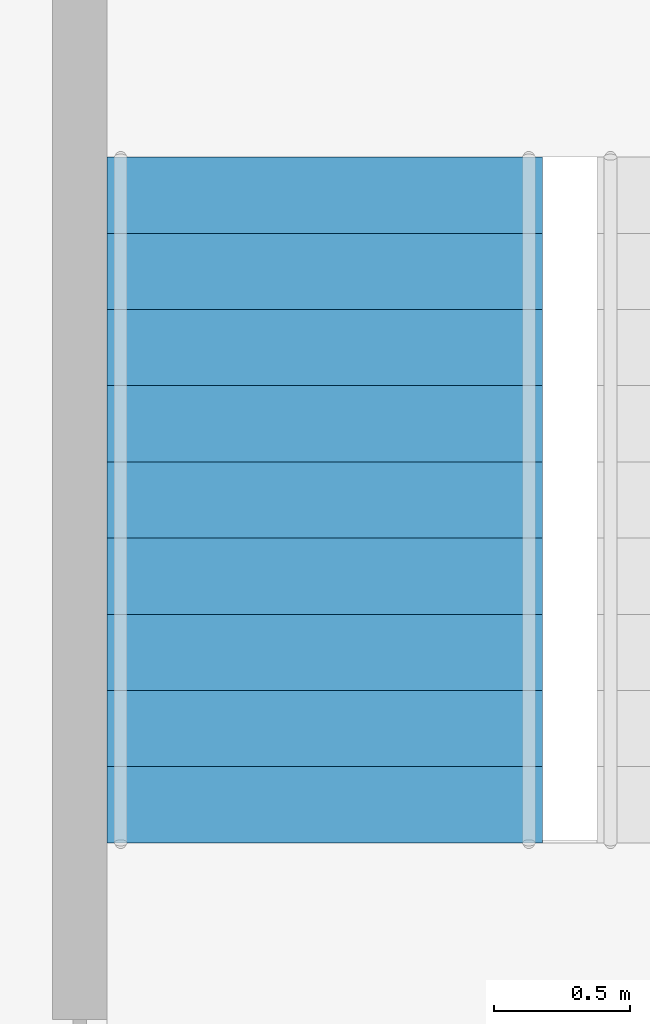
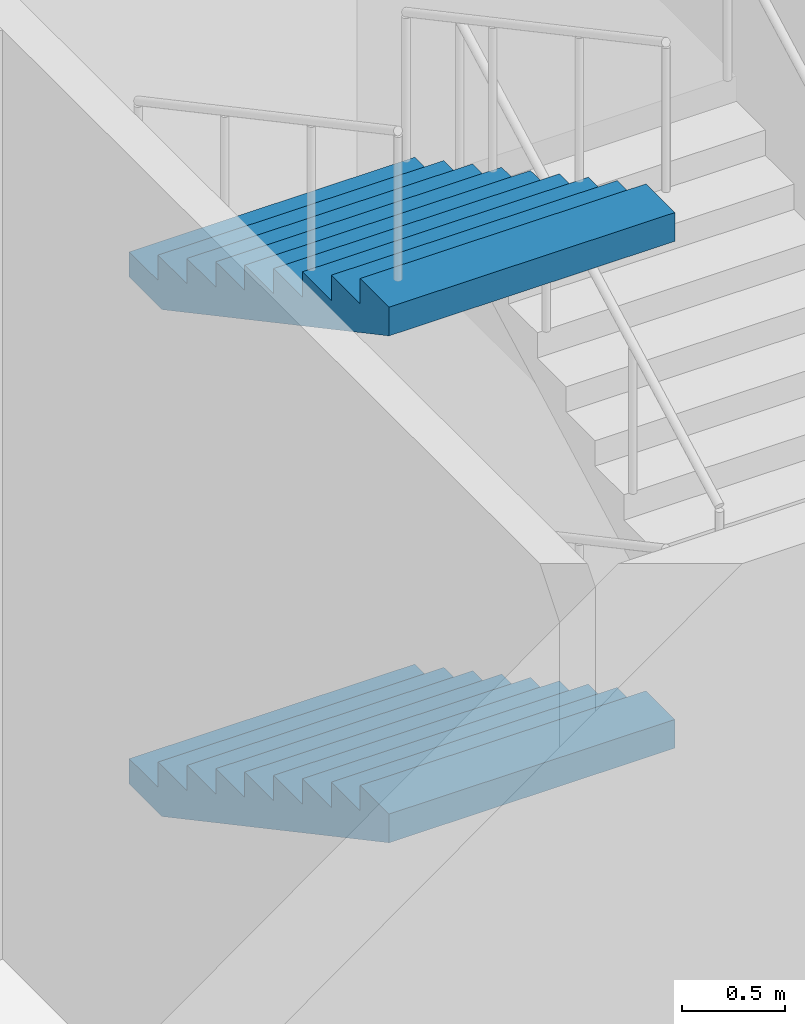
# One storey, part 84 of 100: 2 stair flights, 1 element without a shape of its own.
"""IFC4 building model written with IfcOpenShell, lengths in metres."""

from ifc_helpers import new_model, si_unit, direction, frame, origin, place, context, subcontext, project, spatial, triangles, material, type_object, element, aggregate, save


model = new_model("IFC4")

# Units and contexts
model_context = context("Model", 3, precision=1e-05, world=origin(), true_north=direction((0.0, 1.0)))
body_context = subcontext(model_context, "Body", "Model", "MODEL_VIEW")
ifc_project = project(units=[si_unit("LENGTHUNIT", "METRE"), si_unit("AREAUNIT", "SQUARE_METRE"), si_unit("VOLUMEUNIT", "CUBIC_METRE"), si_unit("PLANEANGLEUNIT", "RADIAN"), si_unit("MASSUNIT", "GRAM", prefix="KILO")], contexts=[model_context])

# Site, building, storey
site_placement = place(None, origin())
site = spatial("IfcSite", under=ifc_project, at=site_placement, CompositionType="ELEMENT")
building_placement = place(site_placement, origin())
building = spatial("IfcBuilding", under=site, at=building_placement, Name="Hakoniwa Tower and Hamabe Station Hall", CompositionType="ELEMENT")
storey_placement = place(building_placement, frame((0.0, 0.0, 9.0)))
storey = spatial("IfcBuildingStorey", under=building, at=storey_placement, Name="L02", CompositionType="ELEMENT", Elevation=9.0)

# Stair, stair flights
ifc_material_1 = material(Name="Concrete C40", Category="concrete")
stair_type = type_object("IfcStairType", Name="STAIR 1600 10X150", PredefinedType="HALF_TURN_STAIR", material=ifc_material_1)
stair_placement = place(storey_placement, origin())
stair = element("IfcStair", 1, at=stair_placement, inside=storey, type_object=stair_type, Name="Escape stair SS2 L02", PredefinedType="HALF_TURN_STAIR")
ifc_material_2 = material(Name="Concrete C40", Category="concrete")
stair_flight_type = type_object("IfcStairFlightType", Name="STAIR FLIGHT 1600", PredefinedType="STRAIGHT", material=ifc_material_2)
stair_flight_1_placement = place(storey_placement, frame((165.85009765625, 19.419921875, 1.5), z_axis=(0.0, 0.0, 1.0), x_axis=(0.0, -1.0, 0.0)))
stair_flight_1 = element("IfcStairFlight", 2, at=stair_flight_1_placement, type_object=stair_flight_type, Name="SS2 flight 2", NumberOfRisers=10, NumberOfTreads=9, PredefinedType="STRAIGHT", RiserHeight=0.15, TreadLength=0.28, context=body_context, shape_type="Tessellation", body=[
    triangles([(0.0, 0.800048828125, 0.0), (0.280029296875, 0.800048828125, 0.0), (0.3173828125, 0.800048828125, 0.0), (0.56005859375, 0.800048828125, 0.1298828125), (0.840087890625, 0.800048828125, 0.280029296875), (1.1201171875, 0.800048828125, 0.429931640625), (1.39990234375, 0.800048828125, 0.579833984375), (1.679931640625, 0.800048828125, 0.72998046875), (1.9599609375, 0.800048828125, 0.8798828125), (2.239990234375, 0.800048828125, 1.030029296875), (2.52001953125, 0.800048828125, 1.179931640625), (2.52001953125, 0.800048828125, 1.35009765625), (2.239990234375, 0.800048828125, 1.35009765625), (2.239990234375, 0.800048828125, 1.199951171875), (1.9599609375, 0.800048828125, 1.199951171875), (1.9599609375, 0.800048828125, 1.050048828125), (1.679931640625, 0.800048828125, 1.050048828125), (1.679931640625, 0.800048828125, 0.89990234375), (1.39990234375, 0.800048828125, 0.89990234375), (1.39990234375, 0.800048828125, 0.75), (1.1201171875, 0.800048828125, 0.75), (1.1201171875, 0.800048828125, 0.60009765625), (0.840087890625, 0.800048828125, 0.60009765625), (0.840087890625, 0.800048828125, 0.449951171875), (0.56005859375, 0.800048828125, 0.449951171875), (0.56005859375, 0.800048828125, 0.300048828125), (0.3173828125, 0.800048828125, 0.300048828125), (0.280029296875, 0.800048828125, 0.300048828125), (0.280029296875, 0.800048828125, 0.14990234375), (0.0, 0.800048828125, 0.14990234375), (0.0, 0.06005859375, 0.0), (0.280029296875, 0.06005859375, 0.0), (0.3173828125, 0.06005859375, 0.0), (0.56005859375, 0.06005859375, 0.1298828125), (0.840087890625, 0.06005859375, 0.280029296875), (1.1201171875, 0.06005859375, 0.429931640625), (1.39990234375, 0.06005859375, 0.579833984375), (1.679931640625, 0.06005859375, 0.72998046875), (1.9599609375, 0.06005859375, 0.8798828125), (2.239990234375, 0.06005859375, 1.030029296875), (2.52001953125, 0.06005859375, 1.179931640625), (2.52001953125, 0.06005859375, 1.35009765625), (2.239990234375, 0.06005859375, 1.35009765625), (2.239990234375, 0.06005859375, 1.199951171875), (1.9599609375, 0.06005859375, 1.199951171875), (1.9599609375, 0.06005859375, 1.050048828125), (1.679931640625, 0.06005859375, 1.050048828125), (1.679931640625, 0.06005859375, 0.89990234375), (1.39990234375, 0.06005859375, 0.89990234375), (1.39990234375, 0.06005859375, 0.75), (1.1201171875, 0.06005859375, 0.75), (1.1201171875, 0.06005859375, 0.60009765625), (0.840087890625, 0.06005859375, 0.60009765625), (0.840087890625, 0.06005859375, 0.449951171875), (0.56005859375, 0.06005859375, 0.449951171875), (0.56005859375, 0.06005859375, 0.300048828125), (0.3173828125, 0.06005859375, 0.300048828125), (0.280029296875, 0.06005859375, 0.300048828125), (0.280029296875, 0.06005859375, 0.14990234375), (0.0, 0.06005859375, 0.14990234375), (0.0, 0.02001953125, 0.0), (0.280029296875, 0.02001953125, 0.0), (0.3173828125, 0.02001953125, 0.0), (0.56005859375, 0.02001953125, 0.1298828125), (0.840087890625, 0.02001953125, 0.280029296875), (1.1201171875, 0.02001953125, 0.429931640625), (1.39990234375, 0.02001953125, 0.579833984375), (1.679931640625, 0.02001953125, 0.72998046875), (1.9599609375, 0.02001953125, 0.8798828125), (2.239990234375, 0.02001953125, 1.030029296875), (2.52001953125, 0.02001953125, 1.179931640625), (2.52001953125, 0.02001953125, 1.35009765625), (2.239990234375, 0.02001953125, 1.35009765625), (2.239990234375, 0.02001953125, 1.199951171875), (1.9599609375, 0.02001953125, 1.199951171875), (1.9599609375, 0.02001953125, 1.050048828125), (1.679931640625, 0.02001953125, 1.050048828125), (1.679931640625, 0.02001953125, 0.89990234375), (1.39990234375, 0.02001953125, 0.89990234375), (1.39990234375, 0.02001953125, 0.75), (1.1201171875, 0.02001953125, 0.75), (1.1201171875, 0.02001953125, 0.60009765625), (0.840087890625, 0.02001953125, 0.60009765625), (0.840087890625, 0.02001953125, 0.449951171875), (0.56005859375, 0.02001953125, 0.449951171875), (0.56005859375, 0.02001953125, 0.300048828125), (0.3173828125, 0.02001953125, 0.300048828125), (0.280029296875, 0.02001953125, 0.300048828125), (0.280029296875, 0.02001953125, 0.14990234375), (0.0, 0.02001953125, 0.14990234375), (0.0, -0.02001953125, 0.0), (0.280029296875, -0.02001953125, 0.0), (0.3173828125, -0.02001953125, 0.0), (0.56005859375, -0.02001953125, 0.1298828125), (0.840087890625, -0.02001953125, 0.280029296875), (1.1201171875, -0.02001953125, 0.429931640625), (1.39990234375, -0.02001953125, 0.579833984375), (1.679931640625, -0.02001953125, 0.72998046875), (1.9599609375, -0.02001953125, 0.8798828125), (2.239990234375, -0.02001953125, 1.030029296875), (2.52001953125, -0.02001953125, 1.179931640625), (2.52001953125, -0.02001953125, 1.35009765625), (2.239990234375, -0.02001953125, 1.35009765625), (2.239990234375, -0.02001953125, 1.199951171875), (1.9599609375, -0.02001953125, 1.199951171875), (1.9599609375, -0.02001953125, 1.050048828125), (1.679931640625, -0.02001953125, 1.050048828125), (1.679931640625, -0.02001953125, 0.89990234375), (1.39990234375, -0.02001953125, 0.89990234375), (1.39990234375, -0.02001953125, 0.75), (1.1201171875, -0.02001953125, 0.75), (1.1201171875, -0.02001953125, 0.60009765625), (0.840087890625, -0.02001953125, 0.60009765625), (0.840087890625, -0.02001953125, 0.449951171875), (0.56005859375, -0.02001953125, 0.449951171875), (0.56005859375, -0.02001953125, 0.300048828125), (0.3173828125, -0.02001953125, 0.300048828125), (0.280029296875, -0.02001953125, 0.300048828125), (0.280029296875, -0.02001953125, 0.14990234375), (0.0, -0.02001953125, 0.14990234375), (0.0, -0.06005859375, 0.0), (0.280029296875, -0.06005859375, 0.0), (0.3173828125, -0.06005859375, 0.0), (0.56005859375, -0.06005859375, 0.1298828125), (0.840087890625, -0.06005859375, 0.280029296875), (1.1201171875, -0.06005859375, 0.429931640625), (1.39990234375, -0.06005859375, 0.579833984375), (1.679931640625, -0.06005859375, 0.72998046875), (1.9599609375, -0.06005859375, 0.8798828125), (2.239990234375, -0.06005859375, 1.030029296875), (2.52001953125, -0.06005859375, 1.179931640625), (2.52001953125, -0.06005859375, 1.35009765625), (2.239990234375, -0.06005859375, 1.35009765625), (2.239990234375, -0.06005859375, 1.199951171875), (1.9599609375, -0.06005859375, 1.199951171875), (1.9599609375, -0.06005859375, 1.050048828125), (1.679931640625, -0.06005859375, 1.050048828125), (1.679931640625, -0.06005859375, 0.89990234375), (1.39990234375, -0.06005859375, 0.89990234375), (1.39990234375, -0.06005859375, 0.75), (1.1201171875, -0.06005859375, 0.75), (1.1201171875, -0.06005859375, 0.60009765625), (0.840087890625, -0.06005859375, 0.60009765625), (0.840087890625, -0.06005859375, 0.449951171875), (0.56005859375, -0.06005859375, 0.449951171875), (0.56005859375, -0.06005859375, 0.300048828125), (0.3173828125, -0.06005859375, 0.300048828125), (0.280029296875, -0.06005859375, 0.300048828125), (0.280029296875, -0.06005859375, 0.14990234375), (0.0, -0.06005859375, 0.14990234375), (0.0, -0.800048828125, 0.0), (0.280029296875, -0.800048828125, 0.0), (0.3173828125, -0.800048828125, 0.0), (0.56005859375, -0.800048828125, 0.1298828125), (0.840087890625, -0.800048828125, 0.280029296875), (1.1201171875, -0.800048828125, 0.429931640625), (1.39990234375, -0.800048828125, 0.579833984375), (1.679931640625, -0.800048828125, 0.72998046875), (1.9599609375, -0.800048828125, 0.8798828125), (2.239990234375, -0.800048828125, 1.030029296875), (2.52001953125, -0.800048828125, 1.179931640625), (2.52001953125, -0.800048828125, 1.35009765625), (2.239990234375, -0.800048828125, 1.35009765625), (2.239990234375, -0.800048828125, 1.199951171875), (1.9599609375, -0.800048828125, 1.199951171875), (1.9599609375, -0.800048828125, 1.050048828125), (1.679931640625, -0.800048828125, 1.050048828125), (1.679931640625, -0.800048828125, 0.89990234375), (1.39990234375, -0.800048828125, 0.89990234375), (1.39990234375, -0.800048828125, 0.75), (1.1201171875, -0.800048828125, 0.75), (1.1201171875, -0.800048828125, 0.60009765625), (0.840087890625, -0.800048828125, 0.60009765625), (0.840087890625, -0.800048828125, 0.449951171875), (0.56005859375, -0.800048828125, 0.449951171875), (0.56005859375, -0.800048828125, 0.300048828125), (0.3173828125, -0.800048828125, 0.300048828125), (0.280029296875, -0.800048828125, 0.300048828125), (0.280029296875, -0.800048828125, 0.14990234375), (0.0, -0.800048828125, 0.14990234375)], [[2, 30, 29], [152, 179, 180], [2, 1, 30], [152, 180, 151], [3, 28, 27], [153, 177, 178], [3, 29, 28], [153, 178, 179], [3, 2, 29], [153, 179, 152], [4, 27, 26], [154, 176, 177], [4, 3, 27], [154, 177, 153], [5, 25, 24], [155, 174, 175], [5, 26, 25], [155, 175, 176], [5, 4, 26], [155, 176, 154], [6, 23, 22], [156, 172, 173], [6, 24, 23], [156, 173, 174], [6, 5, 24], [156, 174, 155], [7, 21, 20], [157, 170, 171], [7, 22, 21], [157, 171, 172], [7, 6, 22], [157, 172, 156], [8, 19, 18], [158, 168, 169], [8, 20, 19], [158, 169, 170], [8, 7, 20], [158, 170, 157], [9, 17, 16], [159, 166, 167], [9, 18, 17], [159, 167, 168], [9, 8, 18], [159, 168, 158], [10, 15, 14], [160, 164, 165], [10, 16, 15], [160, 165, 166], [10, 9, 16], [160, 166, 159], [11, 13, 12], [161, 162, 163], [11, 14, 13], [161, 163, 164], [11, 10, 14], [161, 164, 160], [1, 2, 32], [1, 32, 31], [31, 32, 62], [31, 62, 61], [61, 62, 92], [61, 92, 91], [91, 92, 122], [91, 122, 121], [121, 122, 152], [121, 152, 151], [2, 3, 33], [2, 33, 32], [32, 33, 63], [32, 63, 62], [62, 63, 93], [62, 93, 92], [92, 93, 123], [92, 123, 122], [122, 123, 153], [122, 153, 152], [3, 4, 34], [3, 34, 33], [33, 34, 64], [33, 64, 63], [63, 64, 94], [63, 94, 93], [93, 94, 124], [93, 124, 123], [123, 124, 154], [123, 154, 153], [4, 5, 35], [4, 35, 34], [34, 35, 65], [34, 65, 64], [64, 65, 95], [64, 95, 94], [94, 95, 125], [94, 125, 124], [124, 125, 155], [124, 155, 154], [5, 6, 36], [5, 36, 35], [35, 36, 66], [35, 66, 65], [65, 66, 96], [65, 96, 95], [95, 96, 126], [95, 126, 125], [125, 126, 156], [125, 156, 155], [6, 7, 37], [6, 37, 36], [36, 37, 67], [36, 67, 66], [66, 67, 97], [66, 97, 96], [96, 97, 127], [96, 127, 126], [126, 127, 157], [126, 157, 156], [7, 8, 38], [7, 38, 37], [37, 38, 68], [37, 68, 67], [67, 68, 98], [67, 98, 97], [97, 98, 128], [97, 128, 127], [127, 128, 158], [127, 158, 157], [8, 9, 39], [8, 39, 38], [38, 39, 69], [38, 69, 68], [68, 69, 99], [68, 99, 98], [98, 99, 129], [98, 129, 128], [128, 129, 159], [128, 159, 158], [9, 10, 40], [9, 40, 39], [39, 40, 70], [39, 70, 69], [69, 70, 100], [69, 100, 99], [99, 100, 130], [99, 130, 129], [129, 130, 160], [129, 160, 159], [10, 11, 41], [10, 41, 40], [40, 41, 71], [40, 71, 70], [70, 71, 101], [70, 101, 100], [100, 101, 131], [100, 131, 130], [130, 131, 161], [130, 161, 160], [11, 12, 42], [11, 42, 41], [41, 42, 72], [41, 72, 71], [71, 72, 102], [71, 102, 101], [101, 102, 132], [101, 132, 131], [131, 132, 162], [131, 162, 161], [12, 13, 43], [12, 43, 42], [42, 43, 73], [42, 73, 72], [72, 73, 103], [72, 103, 102], [102, 103, 133], [102, 133, 132], [132, 133, 163], [132, 163, 162], [13, 14, 44], [13, 44, 43], [43, 44, 74], [43, 74, 73], [73, 74, 104], [73, 104, 103], [103, 104, 134], [103, 134, 133], [133, 134, 164], [133, 164, 163], [14, 15, 45], [14, 45, 44], [44, 45, 75], [44, 75, 74], [74, 75, 105], [74, 105, 104], [104, 105, 135], [104, 135, 134], [134, 135, 165], [134, 165, 164], [15, 16, 46], [15, 46, 45], [45, 46, 76], [45, 76, 75], [75, 76, 106], [75, 106, 105], [105, 106, 136], [105, 136, 135], [135, 136, 166], [135, 166, 165], [16, 17, 47], [16, 47, 46], [46, 47, 77], [46, 77, 76], [76, 77, 107], [76, 107, 106], [106, 107, 137], [106, 137, 136], [136, 137, 167], [136, 167, 166], [17, 18, 48], [17, 48, 47], [47, 48, 78], [47, 78, 77], [77, 78, 108], [77, 108, 107], [107, 108, 138], [107, 138, 137], [137, 138, 168], [137, 168, 167], [18, 19, 49], [18, 49, 48], [48, 49, 79], [48, 79, 78], [78, 79, 109], [78, 109, 108], [108, 109, 139], [108, 139, 138], [138, 139, 169], [138, 169, 168], [19, 20, 50], [19, 50, 49], [49, 50, 80], [49, 80, 79], [79, 80, 110], [79, 110, 109], [109, 110, 140], [109, 140, 139], [139, 140, 170], [139, 170, 169], [20, 21, 51], [20, 51, 50], [50, 51, 81], [50, 81, 80], [80, 81, 111], [80, 111, 110], [110, 111, 141], [110, 141, 140], [140, 141, 171], [140, 171, 170], [21, 22, 52], [21, 52, 51], [51, 52, 82], [51, 82, 81], [81, 82, 112], [81, 112, 111], [111, 112, 142], [111, 142, 141], [141, 142, 172], [141, 172, 171], [22, 23, 53], [22, 53, 52], [52, 53, 83], [52, 83, 82], [82, 83, 113], [82, 113, 112], [112, 113, 143], [112, 143, 142], [142, 143, 173], [142, 173, 172], [23, 24, 54], [23, 54, 53], [53, 54, 84], [53, 84, 83], [83, 84, 114], [83, 114, 113], [113, 114, 144], [113, 144, 143], [143, 144, 174], [143, 174, 173], [24, 25, 55], [24, 55, 54], [54, 55, 85], [54, 85, 84], [84, 85, 115], [84, 115, 114], [114, 115, 145], [114, 145, 144], [144, 145, 175], [144, 175, 174], [25, 26, 56], [25, 56, 55], [55, 56, 86], [55, 86, 85], [85, 86, 116], [85, 116, 115], [115, 116, 146], [115, 146, 145], [145, 146, 176], [145, 176, 175], [26, 27, 57], [26, 57, 56], [56, 57, 87], [56, 87, 86], [86, 87, 117], [86, 117, 116], [116, 117, 147], [116, 147, 146], [146, 147, 177], [146, 177, 176], [27, 28, 58], [27, 58, 57], [57, 58, 88], [57, 88, 87], [87, 88, 118], [87, 118, 117], [117, 118, 148], [117, 148, 147], [147, 148, 178], [147, 178, 177], [28, 29, 59], [28, 59, 58], [58, 59, 89], [58, 89, 88], [88, 89, 119], [88, 119, 118], [118, 119, 149], [118, 149, 148], [148, 149, 179], [148, 179, 178], [29, 30, 60], [29, 60, 59], [59, 60, 90], [59, 90, 89], [89, 90, 120], [89, 120, 119], [119, 120, 150], [119, 150, 149], [149, 150, 180], [149, 180, 179], [30, 1, 31], [30, 31, 60], [60, 31, 61], [60, 61, 90], [90, 61, 91], [90, 91, 120], [120, 91, 121], [120, 121, 150], [150, 121, 151], [150, 151, 180]], closed=True),
])
stair_flight_2_placement = place(storey_placement, frame((165.85009765625, 19.419921875, 4.5), z_axis=(0.0, 0.0, 1.0), x_axis=(0.0, -1.0, 0.0)))
stair_flight_2 = element("IfcStairFlight", 3, at=stair_flight_2_placement, type_object=stair_flight_type, Name="SS2 flight 4", NumberOfRisers=10, NumberOfTreads=9, PredefinedType="STRAIGHT", RiserHeight=0.15, TreadLength=0.28, context=body_context, shape_type="Tessellation", body=[
    triangles([(0.0, 0.800048828125, 0.0), (0.280029296875, 0.800048828125, 0.0), (0.3173828125, 0.800048828125, 0.0), (0.56005859375, 0.800048828125, 0.1298828125), (0.840087890625, 0.800048828125, 0.280029296875), (1.1201171875, 0.800048828125, 0.429931640625), (1.39990234375, 0.800048828125, 0.579833984375), (1.679931640625, 0.800048828125, 0.72998046875), (1.9599609375, 0.800048828125, 0.8798828125), (2.239990234375, 0.800048828125, 1.030029296875), (2.52001953125, 0.800048828125, 1.179931640625), (2.52001953125, 0.800048828125, 1.35009765625), (2.239990234375, 0.800048828125, 1.35009765625), (2.239990234375, 0.800048828125, 1.199951171875), (1.9599609375, 0.800048828125, 1.199951171875), (1.9599609375, 0.800048828125, 1.050048828125), (1.679931640625, 0.800048828125, 1.050048828125), (1.679931640625, 0.800048828125, 0.89990234375), (1.39990234375, 0.800048828125, 0.89990234375), (1.39990234375, 0.800048828125, 0.75), (1.1201171875, 0.800048828125, 0.75), (1.1201171875, 0.800048828125, 0.60009765625), (0.840087890625, 0.800048828125, 0.60009765625), (0.840087890625, 0.800048828125, 0.449951171875), (0.56005859375, 0.800048828125, 0.449951171875), (0.56005859375, 0.800048828125, 0.300048828125), (0.3173828125, 0.800048828125, 0.300048828125), (0.280029296875, 0.800048828125, 0.300048828125), (0.280029296875, 0.800048828125, 0.14990234375), (0.0, 0.800048828125, 0.14990234375), (0.0, 0.06005859375, 0.0), (0.280029296875, 0.06005859375, 0.0), (0.3173828125, 0.06005859375, 0.0), (0.56005859375, 0.06005859375, 0.1298828125), (0.840087890625, 0.06005859375, 0.280029296875), (1.1201171875, 0.06005859375, 0.429931640625), (1.39990234375, 0.06005859375, 0.579833984375), (1.679931640625, 0.06005859375, 0.72998046875), (1.9599609375, 0.06005859375, 0.8798828125), (2.239990234375, 0.06005859375, 1.030029296875), (2.52001953125, 0.06005859375, 1.179931640625), (2.52001953125, 0.06005859375, 1.35009765625), (2.239990234375, 0.06005859375, 1.35009765625), (2.239990234375, 0.06005859375, 1.199951171875), (1.9599609375, 0.06005859375, 1.199951171875), (1.9599609375, 0.06005859375, 1.050048828125), (1.679931640625, 0.06005859375, 1.050048828125), (1.679931640625, 0.06005859375, 0.89990234375), (1.39990234375, 0.06005859375, 0.89990234375), (1.39990234375, 0.06005859375, 0.75), (1.1201171875, 0.06005859375, 0.75), (1.1201171875, 0.06005859375, 0.60009765625), (0.840087890625, 0.06005859375, 0.60009765625), (0.840087890625, 0.06005859375, 0.449951171875), (0.56005859375, 0.06005859375, 0.449951171875), (0.56005859375, 0.06005859375, 0.300048828125), (0.3173828125, 0.06005859375, 0.300048828125), (0.280029296875, 0.06005859375, 0.300048828125), (0.280029296875, 0.06005859375, 0.14990234375), (0.0, 0.06005859375, 0.14990234375), (0.0, 0.02001953125, 0.0), (0.280029296875, 0.02001953125, 0.0), (0.3173828125, 0.02001953125, 0.0), (0.56005859375, 0.02001953125, 0.1298828125), (0.840087890625, 0.02001953125, 0.280029296875), (1.1201171875, 0.02001953125, 0.429931640625), (1.39990234375, 0.02001953125, 0.579833984375), (1.679931640625, 0.02001953125, 0.72998046875), (1.9599609375, 0.02001953125, 0.8798828125), (2.239990234375, 0.02001953125, 1.030029296875), (2.52001953125, 0.02001953125, 1.179931640625), (2.52001953125, 0.02001953125, 1.35009765625), (2.239990234375, 0.02001953125, 1.35009765625), (2.239990234375, 0.02001953125, 1.199951171875), (1.9599609375, 0.02001953125, 1.199951171875), (1.9599609375, 0.02001953125, 1.050048828125), (1.679931640625, 0.02001953125, 1.050048828125), (1.679931640625, 0.02001953125, 0.89990234375), (1.39990234375, 0.02001953125, 0.89990234375), (1.39990234375, 0.02001953125, 0.75), (1.1201171875, 0.02001953125, 0.75), (1.1201171875, 0.02001953125, 0.60009765625), (0.840087890625, 0.02001953125, 0.60009765625), (0.840087890625, 0.02001953125, 0.449951171875), (0.56005859375, 0.02001953125, 0.449951171875), (0.56005859375, 0.02001953125, 0.300048828125), (0.3173828125, 0.02001953125, 0.300048828125), (0.280029296875, 0.02001953125, 0.300048828125), (0.280029296875, 0.02001953125, 0.14990234375), (0.0, 0.02001953125, 0.14990234375), (0.0, -0.02001953125, 0.0), (0.280029296875, -0.02001953125, 0.0), (0.3173828125, -0.02001953125, 0.0), (0.56005859375, -0.02001953125, 0.1298828125), (0.840087890625, -0.02001953125, 0.280029296875), (1.1201171875, -0.02001953125, 0.429931640625), (1.39990234375, -0.02001953125, 0.579833984375), (1.679931640625, -0.02001953125, 0.72998046875), (1.9599609375, -0.02001953125, 0.8798828125), (2.239990234375, -0.02001953125, 1.030029296875), (2.52001953125, -0.02001953125, 1.179931640625), (2.52001953125, -0.02001953125, 1.35009765625), (2.239990234375, -0.02001953125, 1.35009765625), (2.239990234375, -0.02001953125, 1.199951171875), (1.9599609375, -0.02001953125, 1.199951171875), (1.9599609375, -0.02001953125, 1.050048828125), (1.679931640625, -0.02001953125, 1.050048828125), (1.679931640625, -0.02001953125, 0.89990234375), (1.39990234375, -0.02001953125, 0.89990234375), (1.39990234375, -0.02001953125, 0.75), (1.1201171875, -0.02001953125, 0.75), (1.1201171875, -0.02001953125, 0.60009765625), (0.840087890625, -0.02001953125, 0.60009765625), (0.840087890625, -0.02001953125, 0.449951171875), (0.56005859375, -0.02001953125, 0.449951171875), (0.56005859375, -0.02001953125, 0.300048828125), (0.3173828125, -0.02001953125, 0.300048828125), (0.280029296875, -0.02001953125, 0.300048828125), (0.280029296875, -0.02001953125, 0.14990234375), (0.0, -0.02001953125, 0.14990234375), (0.0, -0.06005859375, 0.0), (0.280029296875, -0.06005859375, 0.0), (0.3173828125, -0.06005859375, 0.0), (0.56005859375, -0.06005859375, 0.1298828125), (0.840087890625, -0.06005859375, 0.280029296875), (1.1201171875, -0.06005859375, 0.429931640625), (1.39990234375, -0.06005859375, 0.579833984375), (1.679931640625, -0.06005859375, 0.72998046875), (1.9599609375, -0.06005859375, 0.8798828125), (2.239990234375, -0.06005859375, 1.030029296875), (2.52001953125, -0.06005859375, 1.179931640625), (2.52001953125, -0.06005859375, 1.35009765625), (2.239990234375, -0.06005859375, 1.35009765625), (2.239990234375, -0.06005859375, 1.199951171875), (1.9599609375, -0.06005859375, 1.199951171875), (1.9599609375, -0.06005859375, 1.050048828125), (1.679931640625, -0.06005859375, 1.050048828125), (1.679931640625, -0.06005859375, 0.89990234375), (1.39990234375, -0.06005859375, 0.89990234375), (1.39990234375, -0.06005859375, 0.75), (1.1201171875, -0.06005859375, 0.75), (1.1201171875, -0.06005859375, 0.60009765625), (0.840087890625, -0.06005859375, 0.60009765625), (0.840087890625, -0.06005859375, 0.449951171875), (0.56005859375, -0.06005859375, 0.449951171875), (0.56005859375, -0.06005859375, 0.300048828125), (0.3173828125, -0.06005859375, 0.300048828125), (0.280029296875, -0.06005859375, 0.300048828125), (0.280029296875, -0.06005859375, 0.14990234375), (0.0, -0.06005859375, 0.14990234375), (0.0, -0.800048828125, 0.0), (0.280029296875, -0.800048828125, 0.0), (0.3173828125, -0.800048828125, 0.0), (0.56005859375, -0.800048828125, 0.1298828125), (0.840087890625, -0.800048828125, 0.280029296875), (1.1201171875, -0.800048828125, 0.429931640625), (1.39990234375, -0.800048828125, 0.579833984375), (1.679931640625, -0.800048828125, 0.72998046875), (1.9599609375, -0.800048828125, 0.8798828125), (2.239990234375, -0.800048828125, 1.030029296875), (2.52001953125, -0.800048828125, 1.179931640625), (2.52001953125, -0.800048828125, 1.35009765625), (2.239990234375, -0.800048828125, 1.35009765625), (2.239990234375, -0.800048828125, 1.199951171875), (1.9599609375, -0.800048828125, 1.199951171875), (1.9599609375, -0.800048828125, 1.050048828125), (1.679931640625, -0.800048828125, 1.050048828125), (1.679931640625, -0.800048828125, 0.89990234375), (1.39990234375, -0.800048828125, 0.89990234375), (1.39990234375, -0.800048828125, 0.75), (1.1201171875, -0.800048828125, 0.75), (1.1201171875, -0.800048828125, 0.60009765625), (0.840087890625, -0.800048828125, 0.60009765625), (0.840087890625, -0.800048828125, 0.449951171875), (0.56005859375, -0.800048828125, 0.449951171875), (0.56005859375, -0.800048828125, 0.300048828125), (0.3173828125, -0.800048828125, 0.300048828125), (0.280029296875, -0.800048828125, 0.300048828125), (0.280029296875, -0.800048828125, 0.14990234375), (0.0, -0.800048828125, 0.14990234375)], [[2, 30, 29], [152, 179, 180], [2, 1, 30], [152, 180, 151], [3, 28, 27], [153, 177, 178], [3, 29, 28], [153, 178, 179], [3, 2, 29], [153, 179, 152], [4, 27, 26], [154, 176, 177], [4, 3, 27], [154, 177, 153], [5, 25, 24], [155, 174, 175], [5, 26, 25], [155, 175, 176], [5, 4, 26], [155, 176, 154], [6, 23, 22], [156, 172, 173], [6, 24, 23], [156, 173, 174], [6, 5, 24], [156, 174, 155], [7, 21, 20], [157, 170, 171], [7, 22, 21], [157, 171, 172], [7, 6, 22], [157, 172, 156], [8, 19, 18], [158, 168, 169], [8, 20, 19], [158, 169, 170], [8, 7, 20], [158, 170, 157], [9, 17, 16], [159, 166, 167], [9, 18, 17], [159, 167, 168], [9, 8, 18], [159, 168, 158], [10, 15, 14], [160, 164, 165], [10, 16, 15], [160, 165, 166], [10, 9, 16], [160, 166, 159], [11, 13, 12], [161, 162, 163], [11, 14, 13], [161, 163, 164], [11, 10, 14], [161, 164, 160], [1, 2, 32], [1, 32, 31], [31, 32, 62], [31, 62, 61], [61, 62, 92], [61, 92, 91], [91, 92, 122], [91, 122, 121], [121, 122, 152], [121, 152, 151], [2, 3, 33], [2, 33, 32], [32, 33, 63], [32, 63, 62], [62, 63, 93], [62, 93, 92], [92, 93, 123], [92, 123, 122], [122, 123, 153], [122, 153, 152], [3, 4, 34], [3, 34, 33], [33, 34, 64], [33, 64, 63], [63, 64, 94], [63, 94, 93], [93, 94, 124], [93, 124, 123], [123, 124, 154], [123, 154, 153], [4, 5, 35], [4, 35, 34], [34, 35, 65], [34, 65, 64], [64, 65, 95], [64, 95, 94], [94, 95, 125], [94, 125, 124], [124, 125, 155], [124, 155, 154], [5, 6, 36], [5, 36, 35], [35, 36, 66], [35, 66, 65], [65, 66, 96], [65, 96, 95], [95, 96, 126], [95, 126, 125], [125, 126, 156], [125, 156, 155], [6, 7, 37], [6, 37, 36], [36, 37, 67], [36, 67, 66], [66, 67, 97], [66, 97, 96], [96, 97, 127], [96, 127, 126], [126, 127, 157], [126, 157, 156], [7, 8, 38], [7, 38, 37], [37, 38, 68], [37, 68, 67], [67, 68, 98], [67, 98, 97], [97, 98, 128], [97, 128, 127], [127, 128, 158], [127, 158, 157], [8, 9, 39], [8, 39, 38], [38, 39, 69], [38, 69, 68], [68, 69, 99], [68, 99, 98], [98, 99, 129], [98, 129, 128], [128, 129, 159], [128, 159, 158], [9, 10, 40], [9, 40, 39], [39, 40, 70], [39, 70, 69], [69, 70, 100], [69, 100, 99], [99, 100, 130], [99, 130, 129], [129, 130, 160], [129, 160, 159], [10, 11, 41], [10, 41, 40], [40, 41, 71], [40, 71, 70], [70, 71, 101], [70, 101, 100], [100, 101, 131], [100, 131, 130], [130, 131, 161], [130, 161, 160], [11, 12, 42], [11, 42, 41], [41, 42, 72], [41, 72, 71], [71, 72, 102], [71, 102, 101], [101, 102, 132], [101, 132, 131], [131, 132, 162], [131, 162, 161], [12, 13, 43], [12, 43, 42], [42, 43, 73], [42, 73, 72], [72, 73, 103], [72, 103, 102], [102, 103, 133], [102, 133, 132], [132, 133, 163], [132, 163, 162], [13, 14, 44], [13, 44, 43], [43, 44, 74], [43, 74, 73], [73, 74, 104], [73, 104, 103], [103, 104, 134], [103, 134, 133], [133, 134, 164], [133, 164, 163], [14, 15, 45], [14, 45, 44], [44, 45, 75], [44, 75, 74], [74, 75, 105], [74, 105, 104], [104, 105, 135], [104, 135, 134], [134, 135, 165], [134, 165, 164], [15, 16, 46], [15, 46, 45], [45, 46, 76], [45, 76, 75], [75, 76, 106], [75, 106, 105], [105, 106, 136], [105, 136, 135], [135, 136, 166], [135, 166, 165], [16, 17, 47], [16, 47, 46], [46, 47, 77], [46, 77, 76], [76, 77, 107], [76, 107, 106], [106, 107, 137], [106, 137, 136], [136, 137, 167], [136, 167, 166], [17, 18, 48], [17, 48, 47], [47, 48, 78], [47, 78, 77], [77, 78, 108], [77, 108, 107], [107, 108, 138], [107, 138, 137], [137, 138, 168], [137, 168, 167], [18, 19, 49], [18, 49, 48], [48, 49, 79], [48, 79, 78], [78, 79, 109], [78, 109, 108], [108, 109, 139], [108, 139, 138], [138, 139, 169], [138, 169, 168], [19, 20, 50], [19, 50, 49], [49, 50, 80], [49, 80, 79], [79, 80, 110], [79, 110, 109], [109, 110, 140], [109, 140, 139], [139, 140, 170], [139, 170, 169], [20, 21, 51], [20, 51, 50], [50, 51, 81], [50, 81, 80], [80, 81, 111], [80, 111, 110], [110, 111, 141], [110, 141, 140], [140, 141, 171], [140, 171, 170], [21, 22, 52], [21, 52, 51], [51, 52, 82], [51, 82, 81], [81, 82, 112], [81, 112, 111], [111, 112, 142], [111, 142, 141], [141, 142, 172], [141, 172, 171], [22, 23, 53], [22, 53, 52], [52, 53, 83], [52, 83, 82], [82, 83, 113], [82, 113, 112], [112, 113, 143], [112, 143, 142], [142, 143, 173], [142, 173, 172], [23, 24, 54], [23, 54, 53], [53, 54, 84], [53, 84, 83], [83, 84, 114], [83, 114, 113], [113, 114, 144], [113, 144, 143], [143, 144, 174], [143, 174, 173], [24, 25, 55], [24, 55, 54], [54, 55, 85], [54, 85, 84], [84, 85, 115], [84, 115, 114], [114, 115, 145], [114, 145, 144], [144, 145, 175], [144, 175, 174], [25, 26, 56], [25, 56, 55], [55, 56, 86], [55, 86, 85], [85, 86, 116], [85, 116, 115], [115, 116, 146], [115, 146, 145], [145, 146, 176], [145, 176, 175], [26, 27, 57], [26, 57, 56], [56, 57, 87], [56, 87, 86], [86, 87, 117], [86, 117, 116], [116, 117, 147], [116, 147, 146], [146, 147, 177], [146, 177, 176], [27, 28, 58], [27, 58, 57], [57, 58, 88], [57, 88, 87], [87, 88, 118], [87, 118, 117], [117, 118, 148], [117, 148, 147], [147, 148, 178], [147, 178, 177], [28, 29, 59], [28, 59, 58], [58, 59, 89], [58, 89, 88], [88, 89, 119], [88, 119, 118], [118, 119, 149], [118, 149, 148], [148, 149, 179], [148, 179, 178], [29, 30, 60], [29, 60, 59], [59, 60, 90], [59, 90, 89], [89, 90, 120], [89, 120, 119], [119, 120, 150], [119, 150, 149], [149, 150, 180], [149, 180, 179], [30, 1, 31], [30, 31, 60], [60, 31, 61], [60, 61, 90], [90, 61, 91], [90, 91, 120], [120, 91, 121], [120, 121, 150], [150, 121, 151], [150, 151, 180]], closed=True),
])
aggregate(stair, [stair_flight_1, stair_flight_2])

save(model, "model.ifc")
